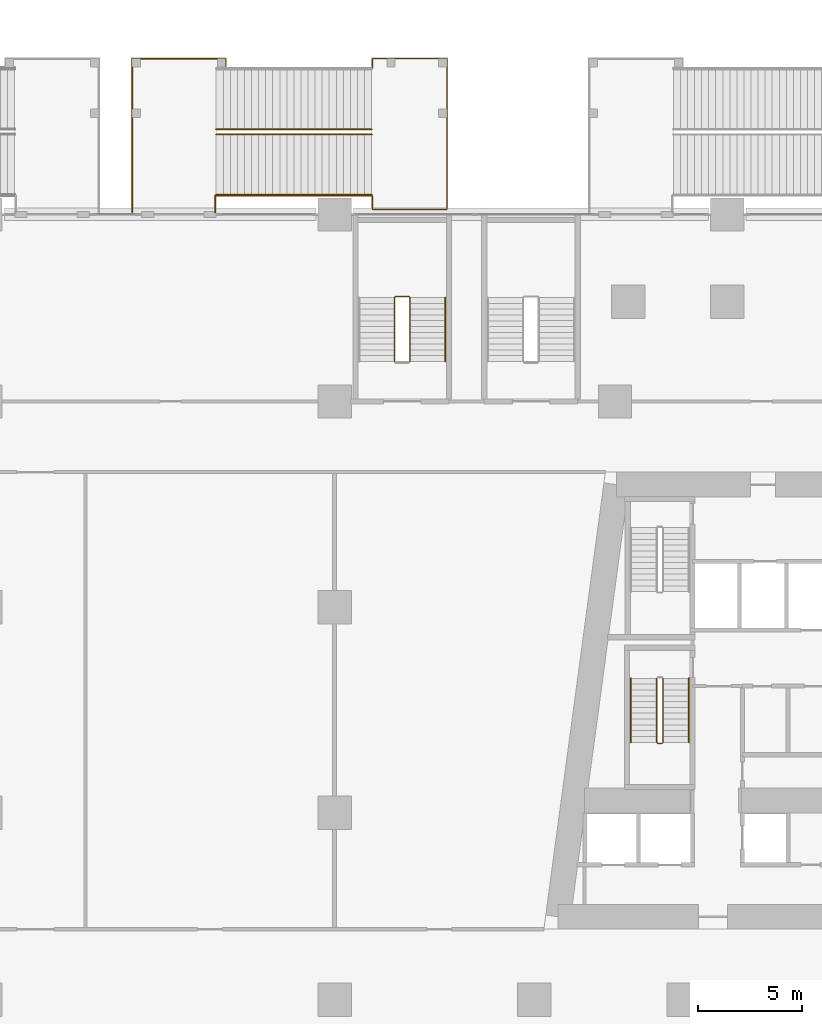
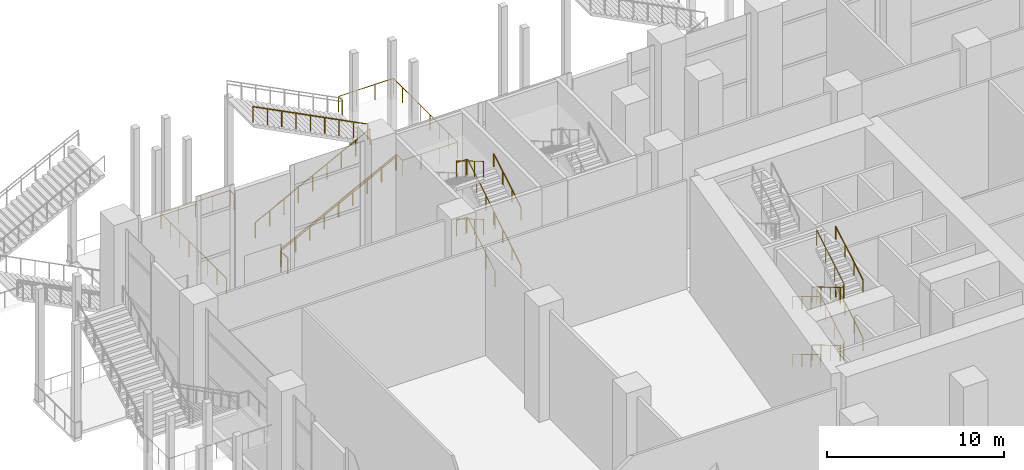
# One storey, part 44 of 52: 17 railings.
"""IFC4 building model written with IfcOpenShell, lengths in metres."""

from ifc_helpers import new_model, si_unit, direction, frame, origin, origin_2d, place, context, subcontext, project, spatial, circle, extrude, material, type_object, element, save


model = new_model("IFC4")

# Units and contexts
model_context = context("Model", 3, precision=1e-05, world=origin(), true_north=direction((0.0, 1.0)))
body_context = subcontext(model_context, "Body", "Model", "MODEL_VIEW")
ifc_project = project(units=[si_unit("LENGTHUNIT", "METRE"), si_unit("AREAUNIT", "SQUARE_METRE"), si_unit("VOLUMEUNIT", "CUBIC_METRE"), si_unit("PLANEANGLEUNIT", "RADIAN"), si_unit("MASSUNIT", "GRAM", prefix="KILO")], contexts=[model_context])

# Site, building, storey
site_placement = place(None, origin())
site = spatial("IfcSite", under=ifc_project, at=site_placement, CompositionType="ELEMENT")
building_placement = place(site_placement, origin())
building = spatial("IfcBuilding", under=site, at=building_placement, Name="Candeia Pilgrim Tower and Theatre", CompositionType="ELEMENT")
storey_placement = place(building_placement, frame((0.0, 0.0, 9.0)))
storey = spatial("IfcBuildingStorey", under=building, at=storey_placement, Name="L01", CompositionType="ELEMENT", Elevation=9.0)

# Railings
ifc_material_1 = material(Name="Stainless steel balustrade", Category="steel")
railing_type_1 = type_object("IfcRailingType", Name="RL-GUARD-1100", PredefinedType="GUARDRAIL", material=ifc_material_1)
railing_1_placement = place(storey_placement, frame((91.10205078125, 122.47509765625, 0.166748046875)))
element("IfcRailing", 1, at=railing_1_placement, inside=storey, type_object=railing_type_1, Name="L01 ST1 stair guard 1", PredefinedType="GUARDRAIL", context=body_context, shape_type="SweptSolid", body=[
    extrude(circle(Radius=0.02392578125, at=origin_2d()), frame((0.0, 0.0, 1.076171875), z_axis=(0.0, -0.859308565015, 0.511457515432), x_axis=(1.0, 0.0, 0.0)), (0.0, 0.0, 1.0), 3.58447265625),
    extrude(circle(Radius=0.02392578125, at=origin_2d()), frame((0.0, -3.080078125, 2.9091796875), z_axis=(0.707106781187, -0.707106781187, 0.0), x_axis=(0.707106781187, 0.707106781187, 0.0)), (0.0, 0.0, 1.0), 0.07080078125),
    extrude(circle(Radius=0.02392578125, at=origin_2d()), frame((0.050048828125, -3.130126953125, 2.9091796875), z_axis=(1.0, 0.0, 0.0), x_axis=(0.0, 1.0, 0.0)), (0.0, 0.0, 1.0), 0.199951171875),
    extrude(circle(Radius=0.02392578125, at=origin_2d()), frame((0.25, -3.130126953125, 2.9091796875), z_axis=(0.27628659633, 0.27628659633, 0.920506074601), x_axis=(-0.707106781187, 0.707106781187, 0.0)), (0.0, 0.0, 1.0), 0.18115234375),
    extrude(circle(Radius=0.02392578125, at=origin_2d()), frame((0.300048828125, -3.080078125, 3.076171875), z_axis=(0.0, 0.859308565015, 0.511457515432), x_axis=(-1.0, 0.0, 0.0)), (0.0, 0.0, 1.0), 3.58447265625),
    extrude(circle(Radius=0.02099609375, at=origin_2d()), origin(), (0.0, 0.0, 1.0), 1.052001953125),
    extrude(circle(Radius=0.02099609375, at=origin_2d()), frame((0.0, -1.026611328125, 0.611083984375)), (0.0, 0.0, 1.0), 1.052001953125),
    extrude(circle(Radius=0.02099609375, at=origin_2d()), frame((0.0, -2.053466796875, 1.22216796875)), (0.0, 0.0, 1.0), 1.052001953125),
    extrude(circle(Radius=0.02099609375, at=origin_2d()), frame((0.0, -3.080078125, 1.833251953125)), (0.0, 0.0, 1.0), 1.052001953125),
    extrude(circle(Radius=0.02099609375, at=origin_2d()), frame((0.050048828125, -3.130126953125, 1.833251953125)), (0.0, 0.0, 1.0), 1.052001953125),
    extrude(circle(Radius=0.02099609375, at=origin_2d()), frame((0.25, -3.130126953125, 1.833251953125)), (0.0, 0.0, 1.0), 1.052001953125),
    extrude(circle(Radius=0.02099609375, at=origin_2d()), frame((0.300048828125, -3.080078125, 2.0)), (0.0, 0.0, 1.0), 1.052001953125),
    extrude(circle(Radius=0.02099609375, at=origin_2d()), frame((0.300048828125, -2.053466796875, 2.611083984375)), (0.0, 0.0, 1.0), 1.052001953125),
    extrude(circle(Radius=0.02099609375, at=origin_2d()), frame((0.300048828125, -1.026611328125, 3.22216796875)), (0.0, 0.0, 1.0), 1.052001953125),
    extrude(circle(Radius=0.02099609375, at=origin_2d()), frame((0.300048828125, 0.0, 3.833251953125)), (0.0, 0.0, 1.0), 1.052001953125),
])
railing_2_placement = place(storey_placement, frame((91.10205078125, 122.47509765625, 4.166748046875)))
element("IfcRailing", 2, at=railing_2_placement, inside=storey, type_object=railing_type_1, Name="L01 ST1 stair guard 3", PredefinedType="GUARDRAIL", context=body_context, shape_type="SweptSolid", body=[
    extrude(circle(Radius=0.02392578125, at=origin_2d()), frame((0.0, 0.0, 1.076171875), z_axis=(0.0, -0.859308565015, 0.511457515432), x_axis=(1.0, 0.0, 0.0)), (0.0, 0.0, 1.0), 3.58447265625),
    extrude(circle(Radius=0.02392578125, at=origin_2d()), frame((0.0, -3.080078125, 2.9091796875), z_axis=(0.707106781187, -0.707106781187, 0.0), x_axis=(0.707106781187, 0.707106781187, 0.0)), (0.0, 0.0, 1.0), 0.07080078125),
    extrude(circle(Radius=0.02392578125, at=origin_2d()), frame((0.050048828125, -3.130126953125, 2.9091796875), z_axis=(1.0, 0.0, 0.0), x_axis=(0.0, 1.0, 0.0)), (0.0, 0.0, 1.0), 0.199951171875),
    extrude(circle(Radius=0.02392578125, at=origin_2d()), frame((0.25, -3.130126953125, 2.9091796875), z_axis=(0.27628659633, 0.27628659633, 0.920506074601), x_axis=(-0.707106781187, 0.707106781187, 0.0)), (0.0, 0.0, 1.0), 0.18115234375),
    extrude(circle(Radius=0.02392578125, at=origin_2d()), frame((0.300048828125, -3.080078125, 3.076171875), z_axis=(0.0, 0.859308565015, 0.511457515432), x_axis=(-1.0, 0.0, 0.0)), (0.0, 0.0, 1.0), 3.58447265625),
    extrude(circle(Radius=0.02099609375, at=origin_2d()), origin(), (0.0, 0.0, 1.0), 1.052001953125),
    extrude(circle(Radius=0.02099609375, at=origin_2d()), frame((0.0, -1.026611328125, 0.611083984375)), (0.0, 0.0, 1.0), 1.052001953125),
    extrude(circle(Radius=0.02099609375, at=origin_2d()), frame((0.0, -2.053466796875, 1.22216796875)), (0.0, 0.0, 1.0), 1.052001953125),
    extrude(circle(Radius=0.02099609375, at=origin_2d()), frame((0.0, -3.080078125, 1.833251953125)), (0.0, 0.0, 1.0), 1.052001953125),
    extrude(circle(Radius=0.02099609375, at=origin_2d()), frame((0.050048828125, -3.130126953125, 1.833251953125)), (0.0, 0.0, 1.0), 1.052001953125),
    extrude(circle(Radius=0.02099609375, at=origin_2d()), frame((0.25, -3.130126953125, 1.833251953125)), (0.0, 0.0, 1.0), 1.052001953125),
    extrude(circle(Radius=0.02099609375, at=origin_2d()), frame((0.300048828125, -3.080078125, 2.0)), (0.0, 0.0, 1.0), 1.052001953125),
    extrude(circle(Radius=0.02099609375, at=origin_2d()), frame((0.300048828125, -2.053466796875, 2.611083984375)), (0.0, 0.0, 1.0), 1.052001953125),
    extrude(circle(Radius=0.02099609375, at=origin_2d()), frame((0.300048828125, -1.026611328125, 3.22216796875)), (0.0, 0.0, 1.0), 1.052001953125),
    extrude(circle(Radius=0.02099609375, at=origin_2d()), frame((0.300048828125, 0.0, 3.833251953125)), (0.0, 0.0, 1.0), 1.052001953125),
])
railing_3_placement = place(storey_placement, frame((79.22509765625, 137.72509765625, 0.166748046875)))
element("IfcRailing", 3, at=railing_3_placement, inside=storey, type_object=railing_type_1, Name="L01 PS1 stair guard 1", PredefinedType="GUARDRAIL", context=body_context, shape_type="SweptSolid", body=[
    extrude(circle(Radius=0.02392578125, at=origin_2d()), frame((0.0, 0.0, 1.076171875), z_axis=(0.0, 0.859290745958, 0.51148745235), x_axis=(-1.0, 0.0, 0.0)), (0.0, 0.0, 1.0), 3.584228515625),
    extrude(circle(Radius=0.02392578125, at=origin_2d()), frame((0.0, 3.079833984375, 2.9091796875), z_axis=(-0.707106781187, 0.707106781187, 0.0), x_axis=(-0.707106781187, -0.707106781187, 0.0)), (0.0, 0.0, 1.0), 0.07080078125),
    extrude(circle(Radius=0.02392578125, at=origin_2d()), frame((-0.050048828125, 3.1298828125, 2.9091796875), z_axis=(-1.0, 0.0, 0.0), x_axis=(0.0, -1.0, 0.0)), (0.0, 0.0, 1.0), 0.650146484375),
    extrude(circle(Radius=0.02392578125, at=origin_2d()), frame((-0.7001953125, 3.1298828125, 2.9091796875), z_axis=(-0.275041040955, -0.276389281352, 0.920848191041), x_axis=(0.708833529934, -0.705375805398, 0.0)), (0.0, 0.0, 1.0), 0.18115234375),
    extrude(circle(Radius=0.02392578125, at=origin_2d()), frame((-0.75, 3.079833984375, 3.076171875), z_axis=(0.0, -0.859290745958, 0.51148745235), x_axis=(1.0, 0.0, 0.0)), (0.0, 0.0, 1.0), 3.584228515625),
    extrude(circle(Radius=0.02099609375, at=origin_2d()), origin(), (0.0, 0.0, 1.0), 1.052001953125),
    extrude(circle(Radius=0.02099609375, at=origin_2d()), frame((0.0, 1.026611328125, 0.611083984375)), (0.0, 0.0, 1.0), 1.052001953125),
    extrude(circle(Radius=0.02099609375, at=origin_2d()), frame((0.0, 2.05322265625, 1.22216796875)), (0.0, 0.0, 1.0), 1.052001953125),
    extrude(circle(Radius=0.02099609375, at=origin_2d()), frame((0.0, 3.079833984375, 1.833251953125)), (0.0, 0.0, 1.0), 1.052001953125),
    extrude(circle(Radius=0.02099609375, at=origin_2d()), frame((-0.050048828125, 3.1298828125, 1.833251953125)), (0.0, 0.0, 1.0), 1.052001953125),
    extrude(circle(Radius=0.02099609375, at=origin_2d()), frame((-0.7001953125, 3.1298828125, 1.833251953125)), (0.0, 0.0, 1.0), 1.052001953125),
    extrude(circle(Radius=0.02099609375, at=origin_2d()), frame((-0.75, 3.079833984375, 2.0)), (0.0, 0.0, 1.0), 1.052001953125),
    extrude(circle(Radius=0.02099609375, at=origin_2d()), frame((-0.75, 2.05322265625, 2.611083984375)), (0.0, 0.0, 1.0), 1.052001953125),
    extrude(circle(Radius=0.02099609375, at=origin_2d()), frame((-0.75, 1.026611328125, 3.22216796875)), (0.0, 0.0, 1.0), 1.052001953125),
    extrude(circle(Radius=0.02099609375, at=origin_2d()), frame((-0.75, 0.0, 3.833251953125)), (0.0, 0.0, 1.0), 1.052001953125),
])
railing_4_placement = place(storey_placement, frame((79.22509765625, 137.72509765625, 4.166748046875)))
element("IfcRailing", 4, at=railing_4_placement, inside=storey, type_object=railing_type_1, Name="L01 PS1 stair guard 3", PredefinedType="GUARDRAIL", context=body_context, shape_type="SweptSolid", body=[
    extrude(circle(Radius=0.02392578125, at=origin_2d()), frame((0.0, 0.0, 1.076171875), z_axis=(0.0, 0.859290745958, 0.51148745235), x_axis=(-1.0, 0.0, 0.0)), (0.0, 0.0, 1.0), 3.584228515625),
    extrude(circle(Radius=0.02392578125, at=origin_2d()), frame((0.0, 3.079833984375, 2.9091796875), z_axis=(-0.707106781187, 0.707106781187, 0.0), x_axis=(-0.707106781187, -0.707106781187, 0.0)), (0.0, 0.0, 1.0), 0.07080078125),
    extrude(circle(Radius=0.02392578125, at=origin_2d()), frame((-0.050048828125, 3.1298828125, 2.9091796875), z_axis=(-1.0, 0.0, 0.0), x_axis=(0.0, -1.0, 0.0)), (0.0, 0.0, 1.0), 0.650146484375),
    extrude(circle(Radius=0.02392578125, at=origin_2d()), frame((-0.7001953125, 3.1298828125, 2.9091796875), z_axis=(-0.275041040955, -0.276389281352, 0.920848191041), x_axis=(0.708833529934, -0.705375805398, 0.0)), (0.0, 0.0, 1.0), 0.18115234375),
    extrude(circle(Radius=0.02392578125, at=origin_2d()), frame((-0.75, 3.079833984375, 3.076171875), z_axis=(0.0, -0.859290745958, 0.51148745235), x_axis=(1.0, 0.0, 0.0)), (0.0, 0.0, 1.0), 3.584228515625),
    extrude(circle(Radius=0.02099609375, at=origin_2d()), origin(), (0.0, 0.0, 1.0), 1.052001953125),
    extrude(circle(Radius=0.02099609375, at=origin_2d()), frame((0.0, 1.026611328125, 0.611083984375)), (0.0, 0.0, 1.0), 1.052001953125),
    extrude(circle(Radius=0.02099609375, at=origin_2d()), frame((0.0, 2.05322265625, 1.22216796875)), (0.0, 0.0, 1.0), 1.052001953125),
    extrude(circle(Radius=0.02099609375, at=origin_2d()), frame((0.0, 3.079833984375, 1.833251953125)), (0.0, 0.0, 1.0), 1.052001953125),
    extrude(circle(Radius=0.02099609375, at=origin_2d()), frame((-0.050048828125, 3.1298828125, 1.833251953125)), (0.0, 0.0, 1.0), 1.052001953125),
    extrude(circle(Radius=0.02099609375, at=origin_2d()), frame((-0.7001953125, 3.1298828125, 1.833251953125)), (0.0, 0.0, 1.0), 1.052001953125),
    extrude(circle(Radius=0.02099609375, at=origin_2d()), frame((-0.75, 3.079833984375, 2.0)), (0.0, 0.0, 1.0), 1.052001953125),
    extrude(circle(Radius=0.02099609375, at=origin_2d()), frame((-0.75, 2.05322265625, 2.611083984375)), (0.0, 0.0, 1.0), 1.052001953125),
    extrude(circle(Radius=0.02099609375, at=origin_2d()), frame((-0.75, 1.026611328125, 3.22216796875)), (0.0, 0.0, 1.0), 1.052001953125),
    extrude(circle(Radius=0.02099609375, at=origin_2d()), frame((-0.75, 0.0, 3.833251953125)), (0.0, 0.0, 1.0), 1.052001953125),
])
railing_5_placement = place(storey_placement, frame((69.89990234375, 148.64990234375, 0.173828125)))
element("IfcRailing", 5, at=railing_5_placement, inside=storey, type_object=railing_type_1, Name="L01 ES4 stair guard 1", PredefinedType="GUARDRAIL", context=body_context, shape_type="SweptSolid", body=[
    extrude(circle(Radius=0.02392578125, at=origin_2d()), frame((0.0, 0.0, 1.076171875), z_axis=(0.890286522184, 0.0, 0.455400821714), x_axis=(0.0, 1.0, 0.0)), (0.0, 0.0, 1.0), 8.40185546875),
    extrude(circle(Radius=0.02099609375, at=origin_2d()), origin(), (0.0, 0.0, 1.0), 1.052001953125),
    extrude(circle(Radius=0.02099609375, at=origin_2d()), frame((0.93505859375, 0.0, 0.478271484375)), (0.0, 0.0, 1.0), 1.052001953125),
    extrude(circle(Radius=0.02099609375, at=origin_2d()), frame((1.8701171875, 0.0, 0.95654296875)), (0.0, 0.0, 1.0), 1.052001953125),
    extrude(circle(Radius=0.02099609375, at=origin_2d()), frame((2.804931640625, 0.0, 1.434814453125)), (0.0, 0.0, 1.0), 1.052001953125),
    extrude(circle(Radius=0.02099609375, at=origin_2d()), frame((3.739990234375, 0.0, 1.9130859375)), (0.0, 0.0, 1.0), 1.052001953125),
    extrude(circle(Radius=0.02099609375, at=origin_2d()), frame((4.675048828125, 0.0, 2.391357421875)), (0.0, 0.0, 1.0), 1.052001953125),
    extrude(circle(Radius=0.02099609375, at=origin_2d()), frame((5.60986328125, 0.0, 2.86962890625)), (0.0, 0.0, 1.0), 1.052001953125),
    extrude(circle(Radius=0.02099609375, at=origin_2d()), frame((6.544921875, 0.0, 3.347900390625)), (0.0, 0.0, 1.0), 1.052001953125),
    extrude(circle(Radius=0.02099609375, at=origin_2d()), frame((7.47998046875, 0.0, 3.826171875)), (0.0, 0.0, 1.0), 1.052001953125),
])
railing_6_placement = place(storey_placement, frame((77.3798828125, 148.89990234375, 4.173828125)))
element("IfcRailing", 6, at=railing_6_placement, inside=storey, type_object=railing_type_1, Name="L01 ES4 stair guard 2", PredefinedType="GUARDRAIL", context=body_context, shape_type="SweptSolid", body=[
    extrude(circle(Radius=0.02392578125, at=origin_2d()), frame((0.0, 0.0, 1.076171875), z_axis=(-0.890286522184, 0.0, 0.455400821714), x_axis=(0.0, -1.0, 0.0)), (0.0, 0.0, 1.0), 8.40185546875),
    extrude(circle(Radius=0.02099609375, at=origin_2d()), origin(), (0.0, 0.0, 1.0), 1.052001953125),
    extrude(circle(Radius=0.02099609375, at=origin_2d()), frame((-0.93505859375, 0.0, 0.478271484375)), (0.0, 0.0, 1.0), 1.052001953125),
    extrude(circle(Radius=0.02099609375, at=origin_2d()), frame((-1.8701171875, 0.0, 0.95654296875)), (0.0, 0.0, 1.0), 1.052001953125),
    extrude(circle(Radius=0.02099609375, at=origin_2d()), frame((-2.804931640625, 0.0, 1.434814453125)), (0.0, 0.0, 1.0), 1.052001953125),
    extrude(circle(Radius=0.02099609375, at=origin_2d()), frame((-3.739990234375, 0.0, 1.9130859375)), (0.0, 0.0, 1.0), 1.052001953125),
    extrude(circle(Radius=0.02099609375, at=origin_2d()), frame((-4.675048828125, 0.0, 2.391357421875)), (0.0, 0.0, 1.0), 1.052001953125),
    extrude(circle(Radius=0.02099609375, at=origin_2d()), frame((-5.60986328125, 0.0, 2.86962890625)), (0.0, 0.0, 1.0), 1.052001953125),
    extrude(circle(Radius=0.02099609375, at=origin_2d()), frame((-6.544921875, 0.0, 3.347900390625)), (0.0, 0.0, 1.0), 1.052001953125),
    extrude(circle(Radius=0.02099609375, at=origin_2d()), frame((-7.47998046875, 0.0, 3.826171875)), (0.0, 0.0, 1.0), 1.052001953125),
])
railing_7_placement = place(storey_placement, frame((69.89990234375, 145.699951171875, 0.173828125)))
element("IfcRailing", 7, at=railing_7_placement, inside=storey, type_object=railing_type_1, Name="L01 ES4 stair guard 3", PredefinedType="GUARDRAIL", context=body_context, shape_type="SweptSolid", body=[
    extrude(circle(Radius=0.02392578125, at=origin_2d()), frame((0.0, 0.0, 1.076171875), z_axis=(0.890286522184, 0.0, 0.455400821714), x_axis=(0.0, 1.0, 0.0)), (0.0, 0.0, 1.0), 8.40185546875),
    extrude(circle(Radius=0.02099609375, at=origin_2d()), origin(), (0.0, 0.0, 1.0), 1.052001953125),
    extrude(circle(Radius=0.02099609375, at=origin_2d()), frame((0.93505859375, 0.0, 0.478271484375)), (0.0, 0.0, 1.0), 1.052001953125),
    extrude(circle(Radius=0.02099609375, at=origin_2d()), frame((1.8701171875, 0.0, 0.95654296875)), (0.0, 0.0, 1.0), 1.052001953125),
    extrude(circle(Radius=0.02099609375, at=origin_2d()), frame((2.804931640625, 0.0, 1.434814453125)), (0.0, 0.0, 1.0), 1.052001953125),
    extrude(circle(Radius=0.02099609375, at=origin_2d()), frame((3.739990234375, 0.0, 1.9130859375)), (0.0, 0.0, 1.0), 1.052001953125),
    extrude(circle(Radius=0.02099609375, at=origin_2d()), frame((4.675048828125, 0.0, 2.391357421875)), (0.0, 0.0, 1.0), 1.052001953125),
    extrude(circle(Radius=0.02099609375, at=origin_2d()), frame((5.60986328125, 0.0, 2.86962890625)), (0.0, 0.0, 1.0), 1.052001953125),
    extrude(circle(Radius=0.02099609375, at=origin_2d()), frame((6.544921875, 0.0, 3.347900390625)), (0.0, 0.0, 1.0), 1.052001953125),
    extrude(circle(Radius=0.02099609375, at=origin_2d()), frame((7.47998046875, 0.0, 3.826171875)), (0.0, 0.0, 1.0), 1.052001953125),
])
railing_8_placement = place(storey_placement, frame((77.429931640625, 145.699951171875, 4.0)))
element("IfcRailing", 8, at=railing_8_placement, inside=storey, type_object=railing_type_1, Name="L01 ES4 stair guard 5", PredefinedType="GUARDRAIL", context=body_context, shape_type="SweptSolid", body=[
    extrude(circle(Radius=0.02392578125, at=origin_2d()), frame((0.0, 0.0, 1.076171875), z_axis=(0.0, -1.0, 0.0), x_axis=(1.0, 0.0, 0.0)), (0.0, 0.0, 1.0), 0.64990234375),
    extrude(circle(Radius=0.02392578125, at=origin_2d()), frame((0.0, -0.64990234375, 1.076171875), z_axis=(1.0, 0.0, 0.0), x_axis=(0.0, 1.0, 0.0)), (0.0, 0.0, 1.0), 3.580078125),
    extrude(circle(Radius=0.02392578125, at=origin_2d()), frame((3.580078125, -0.64990234375, 1.076171875), z_axis=(0.0, 1.0, 0.0), x_axis=(-1.0, 0.0, 0.0)), (0.0, 0.0, 1.0), 7.25),
    extrude(circle(Radius=0.02392578125, at=origin_2d()), frame((3.580078125, 6.60009765625, 1.076171875), z_axis=(-1.0, 0.0, 0.0), x_axis=(0.0, -1.0, 0.0)), (0.0, 0.0, 1.0), 3.580078125),
    extrude(circle(Radius=0.02392578125, at=origin_2d()), frame((0.0, 6.60009765625, 1.076171875), z_axis=(0.0, -1.0, 0.0), x_axis=(1.0, 0.0, 0.0)), (0.0, 0.0, 1.0), 0.449951171875),
    extrude(circle(Radius=0.02099609375, at=origin_2d()), origin(), (0.0, 0.0, 1.0), 1.052001953125),
    extrude(circle(Radius=0.02099609375, at=origin_2d()), frame((0.0, -0.64990234375, 0.0)), (0.0, 0.0, 1.0), 1.052001953125),
    extrude(circle(Radius=0.02099609375, at=origin_2d()), frame((1.193359375, -0.64990234375, 0.0)), (0.0, 0.0, 1.0), 1.052001953125),
    extrude(circle(Radius=0.02099609375, at=origin_2d()), frame((2.38671875, -0.64990234375, 0.0)), (0.0, 0.0, 1.0), 1.052001953125),
    extrude(circle(Radius=0.02099609375, at=origin_2d()), frame((3.580078125, -0.64990234375, 0.0)), (0.0, 0.0, 1.0), 1.052001953125),
    extrude(circle(Radius=0.02099609375, at=origin_2d()), frame((3.580078125, 0.3857421875, 0.0)), (0.0, 0.0, 1.0), 1.052001953125),
    extrude(circle(Radius=0.02099609375, at=origin_2d()), frame((3.580078125, 1.421630859375, 0.0)), (0.0, 0.0, 1.0), 1.052001953125),
    extrude(circle(Radius=0.02099609375, at=origin_2d()), frame((3.580078125, 2.457275390625, 0.0)), (0.0, 0.0, 1.0), 1.052001953125),
    extrude(circle(Radius=0.02099609375, at=origin_2d()), frame((3.580078125, 3.492919921875, 0.0)), (0.0, 0.0, 1.0), 1.052001953125),
    extrude(circle(Radius=0.02099609375, at=origin_2d()), frame((3.580078125, 4.528564453125, 0.0)), (0.0, 0.0, 1.0), 1.052001953125),
    extrude(circle(Radius=0.02099609375, at=origin_2d()), frame((3.580078125, 5.564453125, 0.0)), (0.0, 0.0, 1.0), 1.052001953125),
    extrude(circle(Radius=0.02099609375, at=origin_2d()), frame((3.580078125, 6.60009765625, 0.0)), (0.0, 0.0, 1.0), 1.052001953125),
    extrude(circle(Radius=0.02099609375, at=origin_2d()), frame((2.38671875, 6.60009765625, 0.0)), (0.0, 0.0, 1.0), 1.052001953125),
    extrude(circle(Radius=0.02099609375, at=origin_2d()), frame((1.193359375, 6.60009765625, 0.0)), (0.0, 0.0, 1.0), 1.052001953125),
    extrude(circle(Radius=0.02099609375, at=origin_2d()), frame((0.0, 6.60009765625, 0.0)), (0.0, 0.0, 1.0), 1.052001953125),
    extrude(circle(Radius=0.02099609375, at=origin_2d()), frame((0.0, 6.150146484375, 0.0)), (0.0, 0.0, 1.0), 1.052001953125),
])
railing_9_placement = place(storey_placement, frame((65.85009765625, 144.89990234375, 0.0)))
element("IfcRailing", 9, at=railing_9_placement, inside=storey, type_object=railing_type_1, Name="L01 External escape stair ES4 landing guard", PredefinedType="GUARDRAIL", context=body_context, shape_type="SweptSolid", body=[
    extrude(circle(Radius=0.02392578125, at=origin_2d()), frame((0.0, 0.0, 1.076171875), z_axis=(0.0, 1.0, 0.0), x_axis=(-1.0, 0.0, 0.0)), (0.0, 0.0, 1.0), 7.400146484375),
    extrude(circle(Radius=0.02392578125, at=origin_2d()), frame((0.0, 7.400146484375, 1.076171875), z_axis=(1.0, 0.0, 0.0), x_axis=(0.0, 1.0, 0.0)), (0.0, 0.0, 1.0), 4.5),
    extrude(circle(Radius=0.02392578125, at=origin_2d()), frame((4.5, 7.400146484375, 1.076171875), z_axis=(0.0, -1.0, 0.0), x_axis=(1.0, 0.0, 0.0)), (0.0, 0.0, 1.0), 0.449951171875),
    extrude(circle(Radius=0.02099609375, at=origin_2d()), origin(), (0.0, 0.0, 1.0), 1.052001953125),
    extrude(circle(Radius=0.02099609375, at=origin_2d()), frame((0.0, 1.05712890625, 0.0)), (0.0, 0.0, 1.0), 1.052001953125),
    extrude(circle(Radius=0.02099609375, at=origin_2d()), frame((0.0, 2.1142578125, 0.0)), (0.0, 0.0, 1.0), 1.052001953125),
    extrude(circle(Radius=0.02099609375, at=origin_2d()), frame((0.0, 3.17138671875, 0.0)), (0.0, 0.0, 1.0), 1.052001953125),
    extrude(circle(Radius=0.02099609375, at=origin_2d()), frame((0.0, 4.228759765625, 0.0)), (0.0, 0.0, 1.0), 1.052001953125),
    extrude(circle(Radius=0.02099609375, at=origin_2d()), frame((0.0, 5.285888671875, 0.0)), (0.0, 0.0, 1.0), 1.052001953125),
    extrude(circle(Radius=0.02099609375, at=origin_2d()), frame((0.0, 6.343017578125, 0.0)), (0.0, 0.0, 1.0), 1.052001953125),
    extrude(circle(Radius=0.02099609375, at=origin_2d()), frame((0.0, 7.400146484375, 0.0)), (0.0, 0.0, 1.0), 1.052001953125),
    extrude(circle(Radius=0.02099609375, at=origin_2d()), frame((1.125, 7.400146484375, 0.0)), (0.0, 0.0, 1.0), 1.052001953125),
    extrude(circle(Radius=0.02099609375, at=origin_2d()), frame((2.25, 7.400146484375, 0.0)), (0.0, 0.0, 1.0), 1.052001953125),
    extrude(circle(Radius=0.02099609375, at=origin_2d()), frame((3.375, 7.400146484375, 0.0)), (0.0, 0.0, 1.0), 1.052001953125),
    extrude(circle(Radius=0.02099609375, at=origin_2d()), frame((4.5, 7.400146484375, 0.0)), (0.0, 0.0, 1.0), 1.052001953125),
    extrude(circle(Radius=0.02099609375, at=origin_2d()), frame((4.5, 6.9501953125, 0.0)), (0.0, 0.0, 1.0), 1.052001953125),
])
railing_10_placement = place(storey_placement, frame((69.85009765625, 144.89990234375, 0.0)))
element("IfcRailing", 10, at=railing_10_placement, inside=storey, type_object=railing_type_1, Name="L01 External escape stair ES4 bridge guard", PredefinedType="GUARDRAIL", context=body_context, shape_type="SweptSolid", body=[
    extrude(circle(Radius=0.02392578125, at=origin_2d()), frame((0.0, 0.0, 1.076171875), z_axis=(0.0, 1.0, 0.0), x_axis=(-1.0, 0.0, 0.0)), (0.0, 0.0, 1.0), 0.800048828125),
    extrude(circle(Radius=0.02099609375, at=origin_2d()), origin(), (0.0, 0.0, 1.0), 1.052001953125),
    extrude(circle(Radius=0.02099609375, at=origin_2d()), frame((0.0, 0.800048828125, 0.0)), (0.0, 0.0, 1.0), 1.052001953125),
])
ifc_material_2 = material(Name="Stainless steel handrail", Category="steel")
railing_type_2 = type_object("IfcRailingType", Name="RL-HANDRAIL-900", PredefinedType="HANDRAIL", material=ifc_material_2)
railing_11_placement = place(storey_placement, frame((89.85205078125, 122.47509765625, 0.166748046875)))
element("IfcRailing", 11, at=railing_11_placement, inside=storey, type_object=railing_type_2, Name="L01 ST1 stair handrail 1", PredefinedType="HANDRAIL", context=body_context, shape_type="SweptSolid", body=[
    extrude(circle(Radius=0.02392578125, at=origin_2d()), frame((0.0, 0.0, 0.8759765625), z_axis=(0.0, -0.859308565015, 0.511457515432), x_axis=(1.0, 0.0, 0.0)), (0.0, 0.0, 1.0), 3.58447265625),
    extrude(circle(Radius=0.02099609375, at=origin_2d()), origin(), (0.0, 0.0, 1.0), 0.851806640625),
    extrude(circle(Radius=0.02099609375, at=origin_2d()), frame((0.0, -1.026611328125, 0.611083984375)), (0.0, 0.0, 1.0), 0.851806640625),
    extrude(circle(Radius=0.02099609375, at=origin_2d()), frame((0.0, -2.053466796875, 1.22216796875)), (0.0, 0.0, 1.0), 0.851806640625),
    extrude(circle(Radius=0.02099609375, at=origin_2d()), frame((0.0, -3.080078125, 1.833251953125)), (0.0, 0.0, 1.0), 0.851806640625),
])
railing_12_placement = place(storey_placement, frame((92.652099609375, 119.39501953125, 2.166748046875)))
element("IfcRailing", 12, at=railing_12_placement, inside=storey, type_object=railing_type_2, Name="L01 ST1 stair handrail 2", PredefinedType="HANDRAIL", context=body_context, shape_type="SweptSolid", body=[
    extrude(circle(Radius=0.02392578125, at=origin_2d()), frame((0.0, 0.0, 0.8759765625), z_axis=(0.0, 0.859308565015, 0.511457515432), x_axis=(-1.0, 0.0, 0.0)), (0.0, 0.0, 1.0), 3.58447265625),
    extrude(circle(Radius=0.02099609375, at=origin_2d()), origin(), (0.0, 0.0, 1.0), 0.851806640625),
    extrude(circle(Radius=0.02099609375, at=origin_2d()), frame((0.0, 1.026611328125, 0.611083984375)), (0.0, 0.0, 1.0), 0.851806640625),
    extrude(circle(Radius=0.02099609375, at=origin_2d()), frame((0.0, 2.053466796875, 1.22216796875)), (0.0, 0.0, 1.0), 0.851806640625),
    extrude(circle(Radius=0.02099609375, at=origin_2d()), frame((0.0, 3.080078125, 1.833251953125)), (0.0, 0.0, 1.0), 0.851806640625),
])
railing_13_placement = place(storey_placement, frame((89.85205078125, 122.47509765625, 4.166748046875)))
element("IfcRailing", 13, at=railing_13_placement, inside=storey, type_object=railing_type_2, Name="L01 ST1 stair handrail 3", PredefinedType="HANDRAIL", context=body_context, shape_type="SweptSolid", body=[
    extrude(circle(Radius=0.02392578125, at=origin_2d()), frame((0.0, 0.0, 0.8759765625), z_axis=(0.0, -0.859308565015, 0.511457515432), x_axis=(1.0, 0.0, 0.0)), (0.0, 0.0, 1.0), 3.58447265625),
    extrude(circle(Radius=0.02099609375, at=origin_2d()), origin(), (0.0, 0.0, 1.0), 0.851806640625),
    extrude(circle(Radius=0.02099609375, at=origin_2d()), frame((0.0, -1.026611328125, 0.611083984375)), (0.0, 0.0, 1.0), 0.851806640625),
    extrude(circle(Radius=0.02099609375, at=origin_2d()), frame((0.0, -2.053466796875, 1.22216796875)), (0.0, 0.0, 1.0), 0.851806640625),
    extrude(circle(Radius=0.02099609375, at=origin_2d()), frame((0.0, -3.080078125, 1.833251953125)), (0.0, 0.0, 1.0), 0.851806640625),
])
railing_14_placement = place(storey_placement, frame((92.652099609375, 119.39501953125, 6.166748046875)))
element("IfcRailing", 14, at=railing_14_placement, inside=storey, type_object=railing_type_2, Name="L01 ST1 stair handrail 4", PredefinedType="HANDRAIL", context=body_context, shape_type="SweptSolid", body=[
    extrude(circle(Radius=0.02392578125, at=origin_2d()), frame((0.0, 0.0, 0.8759765625), z_axis=(0.0, 0.859308565015, 0.511457515432), x_axis=(-1.0, 0.0, 0.0)), (0.0, 0.0, 1.0), 3.58447265625),
    extrude(circle(Radius=0.02099609375, at=origin_2d()), origin(), (0.0, 0.0, 1.0), 0.851806640625),
    extrude(circle(Radius=0.02099609375, at=origin_2d()), frame((0.0, 1.026611328125, 0.611083984375)), (0.0, 0.0, 1.0), 0.851806640625),
    extrude(circle(Radius=0.02099609375, at=origin_2d()), frame((0.0, 2.053466796875, 1.22216796875)), (0.0, 0.0, 1.0), 0.851806640625),
    extrude(circle(Radius=0.02099609375, at=origin_2d()), frame((0.0, 3.080078125, 1.833251953125)), (0.0, 0.0, 1.0), 0.851806640625),
])
for number, where, name in (
    (15, (80.925048828125, 137.72509765625, 0.166748046875), "L01 PS1 stair handrail 1"),
    (16, (80.925048828125, 137.72509765625, 4.166748046875), "L01 PS1 stair handrail 3"),
):
    element("IfcRailing", number, at=place(storey_placement, frame(where)), inside=storey, type_object=railing_type_2, Name=name, PredefinedType="HANDRAIL", context=body_context, shape_type="SweptSolid", body=[
        extrude(circle(Radius=0.02392578125, at=origin_2d()), frame((0.0, 0.0, 0.8759765625), z_axis=(0.0, 0.859290745958, 0.51148745235), x_axis=(-1.0, 0.0, 0.0)), (0.0, 0.0, 1.0), 3.584228515625),
        extrude(circle(Radius=0.02099609375, at=origin_2d()), origin(), (0.0, 0.0, 1.0), 0.851806640625),
        extrude(circle(Radius=0.02099609375, at=origin_2d()), frame((0.0, 1.026611328125, 0.611083984375)), (0.0, 0.0, 1.0), 0.851806640625),
        extrude(circle(Radius=0.02099609375, at=origin_2d()), frame((0.0, 2.05322265625, 1.22216796875)), (0.0, 0.0, 1.0), 0.851806640625),
        extrude(circle(Radius=0.02099609375, at=origin_2d()), frame((0.0, 3.079833984375, 1.833251953125)), (0.0, 0.0, 1.0), 0.851806640625),
    ])
railing_15_placement = place(storey_placement, frame((69.89990234375, 145.75, 0.173828125)))
element("IfcRailing", 17, at=railing_15_placement, inside=storey, type_object=railing_type_2, Name="L01 ES4 stair handrail 1", PredefinedType="HANDRAIL", context=body_context, shape_type="SweptSolid", body=[
    extrude(circle(Radius=0.02392578125, at=origin_2d()), frame((0.0, 0.0, 0.8759765625), z_axis=(0.890286522184, 0.0, 0.455400821714), x_axis=(0.0, 1.0, 0.0)), (0.0, 0.0, 1.0), 8.40185546875),
    extrude(circle(Radius=0.02099609375, at=origin_2d()), origin(), (0.0, 0.0, 1.0), 0.851806640625),
    extrude(circle(Radius=0.02099609375, at=origin_2d()), frame((0.93505859375, 0.0, 0.478271484375)), (0.0, 0.0, 1.0), 0.851806640625),
    extrude(circle(Radius=0.02099609375, at=origin_2d()), frame((1.8701171875, 0.0, 0.95654296875)), (0.0, 0.0, 1.0), 0.851806640625),
    extrude(circle(Radius=0.02099609375, at=origin_2d()), frame((2.804931640625, 0.0, 1.434814453125)), (0.0, 0.0, 1.0), 0.851806640625),
    extrude(circle(Radius=0.02099609375, at=origin_2d()), frame((3.739990234375, 0.0, 1.9130859375)), (0.0, 0.0, 1.0), 0.851806640625),
    extrude(circle(Radius=0.02099609375, at=origin_2d()), frame((4.675048828125, 0.0, 2.391357421875)), (0.0, 0.0, 1.0), 0.851806640625),
    extrude(circle(Radius=0.02099609375, at=origin_2d()), frame((5.60986328125, 0.0, 2.86962890625)), (0.0, 0.0, 1.0), 0.851806640625),
    extrude(circle(Radius=0.02099609375, at=origin_2d()), frame((6.544921875, 0.0, 3.347900390625)), (0.0, 0.0, 1.0), 0.851806640625),
    extrude(circle(Radius=0.02099609375, at=origin_2d()), frame((7.47998046875, 0.0, 3.826171875)), (0.0, 0.0, 1.0), 0.851806640625),
])

save(model, "model.ifc")
